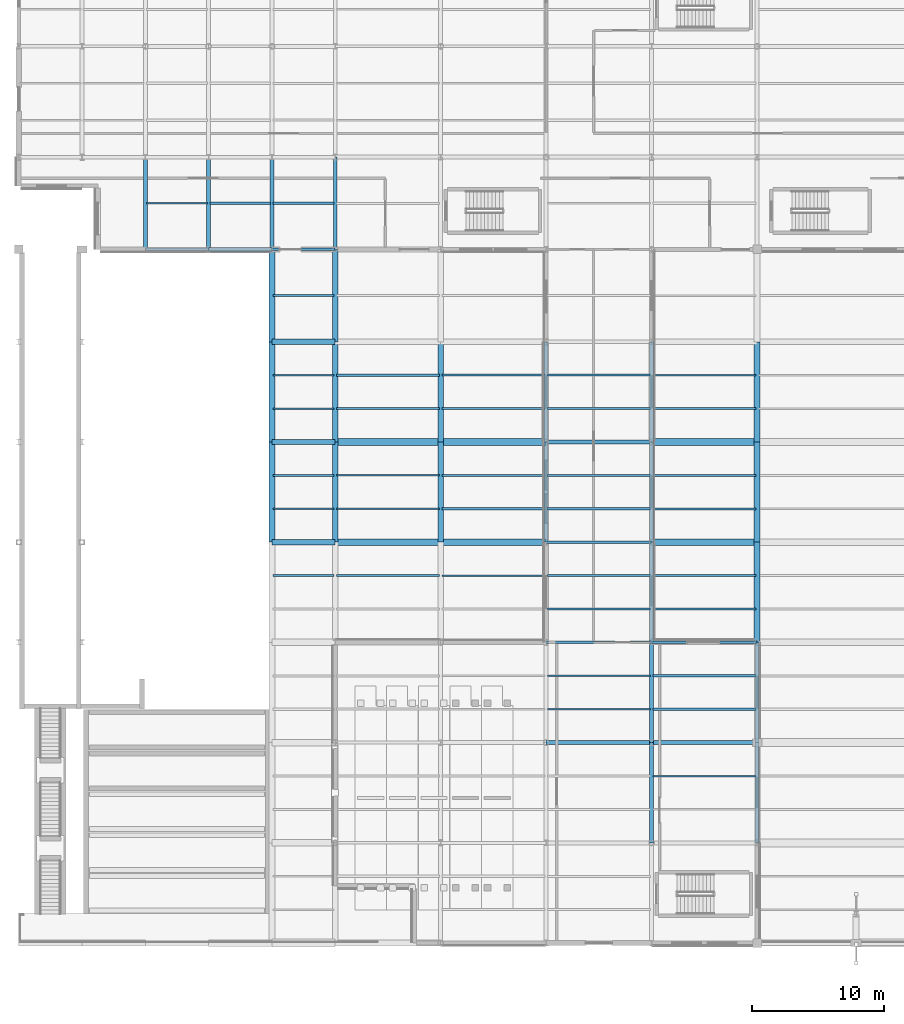
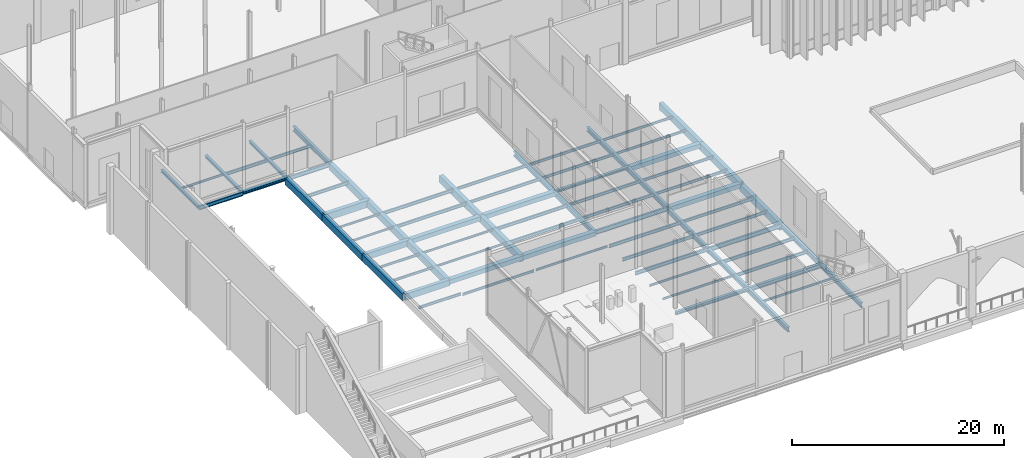
# One storey, part 28 of 176: 78 beams.
"""IFC4 building model written with IfcOpenShell, lengths in metres."""

from ifc_helpers import new_model, si_unit, direction, frame, origin, origin_2d, place, context, subcontext, project, spatial, rectangle, i_section, extrude, material, material_profile, profile_set, type_object, element, save


model = new_model("IFC4")

# Units and contexts
model_context = context("Model", 3, precision=1e-05, world=origin(), true_north=direction((0.0, 1.0)))
body_context = subcontext(model_context, "Body", "Model", "MODEL_VIEW")
ifc_project = project(units=[si_unit("LENGTHUNIT", "METRE"), si_unit("AREAUNIT", "SQUARE_METRE"), si_unit("VOLUMEUNIT", "CUBIC_METRE"), si_unit("PLANEANGLEUNIT", "RADIAN"), si_unit("MASSUNIT", "GRAM", prefix="KILO")], contexts=[model_context])

# Site, building, storey
site_placement = place(None, origin())
site = spatial("IfcSite", under=ifc_project, at=site_placement, CompositionType="ELEMENT")
building_placement = place(site_placement, origin())
building = spatial("IfcBuilding", under=site, at=building_placement, Name="Vekula Escarpment Museum", CompositionType="ELEMENT")
storey_placement = place(building_placement, origin())
storey = spatial("IfcBuildingStorey", under=building, at=storey_placement, Name="L01", CompositionType="ELEMENT", Elevation=0.0)

# Beams
ifc_material_1 = material(Name="Steel S355", Category="steel")
ifc_material_profile_1 = material_profile(ifc_material_1, i_section(OverallWidth=0.280029296875, OverallDepth=0.280029296875, WebThickness=0.010498046875, FlangeThickness=0.01806640625, FilletRadius=0.02392578125, at=origin_2d()), Name="HEB 280")
ifc_profile_set_1 = profile_set([ifc_material_profile_1], Name="Steel S355")
beam_type_1 = type_object("IfcBeamType", Name="BM-GIRD-HEB280", PredefinedType="BEAM", material=ifc_profile_set_1)
beam_1_placement = place(storey_placement, frame((40.0, 38.0, -0.43994140625), z_axis=(1.0, 0.0, 0.0), x_axis=(0.0, 1.0, 0.0)))
element("IfcBeam", 1, at=beam_1_placement, inside=storey, type_object=beam_type_1, Name="Beam X L01 0103", PredefinedType="BEAM", context=body_context, shape_type="SweptSolid", body=[
    extrude(i_section(OverallWidth=0.280029296875, OverallDepth=0.280029296875, WebThickness=0.010498046875, FlangeThickness=0.01806640625, FilletRadius=0.02392578125, at=origin_2d()), origin(), (0.0, 0.0, 1.0), 8.0),
])
ifc_material_2 = material(Name="Steel S355", Category="steel")
ifc_material_profile_2 = material_profile(ifc_material_2, i_section(OverallWidth=0.300048828125, OverallDepth=0.320068359375, WebThickness=0.011474609375, FlangeThickness=0.0205078125, FilletRadius=0.027099609375, at=origin_2d()), Name="HEB 320")
ifc_profile_set_2 = profile_set([ifc_material_profile_2], Name="Steel S355")
beam_type_2 = type_object("IfcBeamType", Name="BM-GIRD-HEB320", PredefinedType="BEAM", material=ifc_profile_set_2)
beam_2_placement = place(storey_placement, frame((14.39990234375, 52.60009765625, -0.4599609375), z_axis=(1.0, 0.0, 0.0), x_axis=(0.0, 1.0, 0.0)))
element("IfcBeam", 2, at=beam_2_placement, inside=storey, type_object=beam_type_2, Name="Beam X L01 0139", PredefinedType="BEAM", context=body_context, shape_type="SweptSolid", body=[
    extrude(i_section(OverallWidth=0.300048828125, OverallDepth=0.320068359375, WebThickness=0.011474609375, FlangeThickness=0.0205078125, FilletRadius=0.027099609375, at=origin_2d()), origin(), (0.0, 0.0, 1.0), 4.800048828125),
])
ifc_material_3 = material(Name="Steel S355", Category="steel")
ifc_material_profile_3 = material_profile(ifc_material_3, i_section(OverallWidth=0.300048828125, OverallDepth=0.360107421875, WebThickness=0.012451171875, FlangeThickness=0.0224609375, FilletRadius=0.027099609375, at=origin_2d()), Name="HEB 360")
ifc_profile_set_3 = profile_set([ifc_material_profile_3], Name="Steel S355")
beam_type_3 = type_object("IfcBeamType", Name="BM-GIRD-HEB360", PredefinedType="BEAM", material=ifc_profile_set_3)
beam_3_placement = place(storey_placement, frame((40.0, 15.199951171875, -0.6298828125), z_axis=(1.0, 0.0, 0.0), x_axis=(0.0, 1.0, 0.0)))
element("IfcBeam", 3, at=beam_3_placement, inside=storey, type_object=beam_type_3, Name="Beam X L01 0052", PredefinedType="BEAM", context=body_context, shape_type="SweptSolid", body=[
    extrude(i_section(OverallWidth=0.300048828125, OverallDepth=0.360107421875, WebThickness=0.012451171875, FlangeThickness=0.0224609375, FilletRadius=0.027099609375, at=origin_2d()), origin(), (0.0, 0.0, 1.0), 8.0),
])
ifc_material_4 = material(Name="Steel S355", Category="steel")
ifc_material_profile_4 = material_profile(ifc_material_4, i_section(OverallWidth=0.300048828125, OverallDepth=0.449951171875, WebThickness=0.013916015625, FlangeThickness=0.02587890625, FilletRadius=0.027099609375, at=origin_2d()), Name="HEB 450")
ifc_profile_set_4 = profile_set([ifc_material_profile_4], Name="Steel S355")
beam_type_4 = type_object("IfcBeamType", Name="BM-GIRD-HEB450", PredefinedType="BEAM", material=ifc_profile_set_4)
beam_4_placement = place(storey_placement, frame((48.0, 15.199951171875, -0.675048828125), z_axis=(1.0, 0.0, 0.0), x_axis=(0.0, 1.0, 0.0)))
element("IfcBeam", 4, at=beam_4_placement, inside=storey, type_object=beam_type_4, Name="Beam X L01 0053", PredefinedType="BEAM", context=body_context, shape_type="SweptSolid", body=[
    extrude(i_section(OverallWidth=0.300048828125, OverallDepth=0.449951171875, WebThickness=0.013916015625, FlangeThickness=0.02587890625, FilletRadius=0.027099609375, at=origin_2d()), origin(), (0.0, 0.0, 1.0), 8.0),
])
ifc_material_5 = material(Name="Steel S355", Category="steel")
ifc_material_profile_5 = material_profile(ifc_material_5, i_section(OverallWidth=0.300048828125, OverallDepth=0.550048828125, WebThickness=0.014892578125, FlangeThickness=0.029052734375, FilletRadius=0.027099609375, at=origin_2d()), Name="HEB 550")
ifc_profile_set_5 = profile_set([ifc_material_profile_5], Name="Steel S355")
beam_type_5 = type_object("IfcBeamType", Name="BM-GIRD-HEB550", PredefinedType="BEAM", material=ifc_profile_set_5)
beam_5_placement = place(storey_placement, frame((24.0, 52.60009765625, -0.574951171875), z_axis=(0.0, 1.0, 0.0), x_axis=(-1.0, 0.0, 0.0)))
element("IfcBeam", 5, at=beam_5_placement, inside=storey, type_object=beam_type_5, Name="Beam Y L01 0450", PredefinedType="BEAM", context=body_context, shape_type="SweptSolid", body=[
    extrude(i_section(OverallWidth=0.300048828125, OverallDepth=0.550048828125, WebThickness=0.014892578125, FlangeThickness=0.029052734375, FilletRadius=0.027099609375, at=origin_2d()), origin(), (0.0, 0.0, 1.0), 7.0),
])
for number, where, z_axis, x_axis, name in (
    (6, (40.0, 30.39990234375, -0.574951171875), (0.0, 1.0, 0.0), (-1.0, 0.0, 0.0), "Beam Y L01 0483"),
    (7, (40.0, 38.0, -0.574951171875), (0.0, 1.0, 0.0), (-1.0, 0.0, 0.0), "Beam Y L01 0484"),
):
    element("IfcBeam", number, at=place(storey_placement, frame(where, z_axis=z_axis, x_axis=x_axis)), inside=storey, type_object=beam_type_5, Name=name, PredefinedType="BEAM", context=body_context, shape_type="SweptSolid", body=[
        extrude(i_section(OverallWidth=0.300048828125, OverallDepth=0.550048828125, WebThickness=0.014892578125, FlangeThickness=0.029052734375, FilletRadius=0.027099609375, at=origin_2d()), origin(), (0.0, 0.0, 1.0), 7.60009765625),
    ])
beam_6_placement = place(storey_placement, frame((48.0, 7.60009765625, -0.72509765625), z_axis=(0.0, 1.0, 0.0), x_axis=(-1.0, 0.0, 0.0)))
element("IfcBeam", 8, at=beam_6_placement, inside=storey, type_object=beam_type_5, Name="Beam Y L01 0498", PredefinedType="BEAM", context=body_context, shape_type="SweptSolid", body=[
    extrude(i_section(OverallWidth=0.300048828125, OverallDepth=0.550048828125, WebThickness=0.014892578125, FlangeThickness=0.029052734375, FilletRadius=0.027099609375, at=origin_2d()), origin(), (0.0, 0.0, 1.0), 7.599853515625),
])
beam_7_placement = place(storey_placement, frame((48.0, 15.199951171875, -0.72509765625), z_axis=(0.0, 1.0, 0.0), x_axis=(-1.0, 0.0, 0.0)))
element("IfcBeam", 9, at=beam_7_placement, inside=storey, type_object=beam_type_5, Name="Beam Y L01 0499", PredefinedType="BEAM", context=body_context, shape_type="SweptSolid", body=[
    extrude(i_section(OverallWidth=0.300048828125, OverallDepth=0.550048828125, WebThickness=0.014892578125, FlangeThickness=0.029052734375, FilletRadius=0.027099609375, at=origin_2d()), origin(), (0.0, 0.0, 1.0), 7.60009765625),
])
beam_8_placement = place(storey_placement, frame((48.0, 22.800048828125, -0.72509765625), z_axis=(0.0, 1.0, 0.0), x_axis=(-1.0, 0.0, 0.0)))
element("IfcBeam", 10, at=beam_8_placement, inside=storey, type_object=beam_type_5, Name="Beam Y L01 0500", PredefinedType="BEAM", context=body_context, shape_type="SweptSolid", body=[
    extrude(i_section(OverallWidth=0.300048828125, OverallDepth=0.550048828125, WebThickness=0.014892578125, FlangeThickness=0.029052734375, FilletRadius=0.027099609375, at=origin_2d()), origin(), (0.0, 0.0, 1.0), 7.599853515625),
])
for number, where, z_axis, x_axis, name in (
    (11, (48.0, 30.39990234375, -0.574951171875), (0.0, 1.0, 0.0), (-1.0, 0.0, 0.0), "Beam Y L01 0501"),
    (12, (48.0, 38.0, -0.574951171875), (0.0, 1.0, 0.0), (-1.0, 0.0, 0.0), "Beam Y L01 0502"),
):
    element("IfcBeam", number, at=place(storey_placement, frame(where, z_axis=z_axis, x_axis=x_axis)), inside=storey, type_object=beam_type_5, Name=name, PredefinedType="BEAM", context=body_context, shape_type="SweptSolid", body=[
        extrude(i_section(OverallWidth=0.300048828125, OverallDepth=0.550048828125, WebThickness=0.014892578125, FlangeThickness=0.029052734375, FilletRadius=0.027099609375, at=origin_2d()), origin(), (0.0, 0.0, 1.0), 7.60009765625),
    ])
beam_9_placement = place(storey_placement, frame((56.0, 7.60009765625, -0.72509765625), z_axis=(0.0, 1.0, 0.0), x_axis=(-1.0, 0.0, 0.0)))
element("IfcBeam", 13, at=beam_9_placement, inside=storey, type_object=beam_type_5, Name="Beam Y L01 0516", PredefinedType="BEAM", context=body_context, shape_type="SweptSolid", body=[
    extrude(i_section(OverallWidth=0.300048828125, OverallDepth=0.550048828125, WebThickness=0.014892578125, FlangeThickness=0.029052734375, FilletRadius=0.027099609375, at=origin_2d()), origin(), (0.0, 0.0, 1.0), 7.599853515625),
])
beam_10_placement = place(storey_placement, frame((56.0, 15.199951171875, -0.72509765625), z_axis=(0.0, 1.0, 0.0), x_axis=(-1.0, 0.0, 0.0)))
element("IfcBeam", 14, at=beam_10_placement, inside=storey, type_object=beam_type_5, Name="Beam Y L01 0517", PredefinedType="BEAM", context=body_context, shape_type="SweptSolid", body=[
    extrude(i_section(OverallWidth=0.300048828125, OverallDepth=0.550048828125, WebThickness=0.014892578125, FlangeThickness=0.029052734375, FilletRadius=0.027099609375, at=origin_2d()), origin(), (0.0, 0.0, 1.0), 7.60009765625),
])
ifc_material_6 = material(Name="Steel S355", Category="steel")
ifc_material_profile_6 = material_profile(ifc_material_6, i_section(OverallWidth=0.179931640625, OverallDepth=0.39990234375, WebThickness=0.008544921875, FlangeThickness=0.013427734375, FilletRadius=0.02099609375, at=origin_2d()), Name="IPE 400")
ifc_profile_set_6 = profile_set([ifc_material_profile_6], Name="Steel S355")
beam_type_6 = type_object("IfcBeamType", Name="BM-GIRD-IPE400", PredefinedType="BEAM", material=ifc_profile_set_6)
beam_11_placement = place(storey_placement, frame((40.0, 22.800048828125, -0.64990234375), z_axis=(1.0, 0.0, 0.0), x_axis=(0.0, 1.0, 0.0)))
element("IfcBeam", 15, at=beam_11_placement, inside=storey, type_object=beam_type_6, Name="Beam X L01 0071", PredefinedType="BEAM", context=body_context, shape_type="SweptSolid", body=[
    extrude(i_section(OverallWidth=0.179931640625, OverallDepth=0.39990234375, WebThickness=0.008544921875, FlangeThickness=0.013427734375, FilletRadius=0.02099609375, at=origin_2d()), origin(), (0.0, 0.0, 1.0), 8.0),
])
ifc_material_7 = material(Name="Steel S355", Category="steel")
ifc_material_profile_7 = material_profile(ifc_material_7, i_section(OverallWidth=0.18994140625, OverallDepth=0.449951171875, WebThickness=0.009521484375, FlangeThickness=0.0146484375, FilletRadius=0.02099609375, at=origin_2d()), Name="IPE 450")
ifc_profile_set_7 = profile_set([ifc_material_profile_7], Name="Steel S355")
beam_type_7 = type_object("IfcBeamType", Name="BM-GIRD-IPE450", PredefinedType="BEAM", material=ifc_profile_set_7)
beam_12_placement = place(storey_placement, frame((9.60009765625, 52.60009765625, -0.52490234375), z_axis=(1.0, 0.0, 0.0), x_axis=(0.0, 1.0, 0.0)))
element("IfcBeam", 16, at=beam_12_placement, inside=storey, type_object=beam_type_7, Name="Beam X L01 0138", PredefinedType="BEAM", context=body_context, shape_type="SweptSolid", body=[
    extrude(i_section(OverallWidth=0.18994140625, OverallDepth=0.449951171875, WebThickness=0.009521484375, FlangeThickness=0.0146484375, FilletRadius=0.02099609375, at=origin_2d()), origin(), (0.0, 0.0, 1.0), 4.7998046875),
])
beam_13_placement = place(storey_placement, frame((19.199951171875, 52.60009765625, -0.52490234375), z_axis=(1.0, 0.0, 0.0), x_axis=(0.0, 1.0, 0.0)))
element("IfcBeam", 17, at=beam_13_placement, inside=storey, type_object=beam_type_7, Name="Beam X L01 0140", PredefinedType="BEAM", context=body_context, shape_type="SweptSolid", body=[
    extrude(i_section(OverallWidth=0.18994140625, OverallDepth=0.449951171875, WebThickness=0.009521484375, FlangeThickness=0.0146484375, FilletRadius=0.02099609375, at=origin_2d()), origin(), (0.0, 0.0, 1.0), 4.800048828125),
])
ifc_material_8 = material(Name="Steel S355", Category="steel")
ifc_material_profile_8 = material_profile(ifc_material_8, i_section(OverallWidth=0.199951171875, OverallDepth=0.5, WebThickness=0.01025390625, FlangeThickness=0.01611328125, FilletRadius=0.02099609375, at=origin_2d()), Name="IPE 500")
ifc_profile_set_8 = profile_set([ifc_material_profile_8], Name="Steel S355")
beam_type_8 = type_object("IfcBeamType", Name="BM-GIRD-IPE500", PredefinedType="BEAM", material=ifc_profile_set_8)
for number, where, z_axis, x_axis, name in (
    (18, (48.0, 22.800048828125, -0.699951171875), (1.0, 0.0, 0.0), (0.0, 1.0, 0.0), "Beam X L01 0072"),
    (19, (40.0, 30.39990234375, -0.550048828125), (1.0, 0.0, 0.0), (0.0, 1.0, 0.0), "Beam X L01 0087"),
):
    element("IfcBeam", number, at=place(storey_placement, frame(where, z_axis=z_axis, x_axis=x_axis)), inside=storey, type_object=beam_type_8, Name=name, PredefinedType="BEAM", context=body_context, shape_type="SweptSolid", body=[
        extrude(i_section(OverallWidth=0.199951171875, OverallDepth=0.5, WebThickness=0.01025390625, FlangeThickness=0.01611328125, FilletRadius=0.02099609375, at=origin_2d()), origin(), (0.0, 0.0, 1.0), 8.0),
    ])
ifc_material_9 = material(Name="Steel S355", Category="steel")
ifc_material_profile_9 = material_profile(ifc_material_9, i_section(OverallWidth=0.1201171875, OverallDepth=0.239990234375, WebThickness=0.006103515625, FlangeThickness=0.009765625, FilletRadius=0.014892578125, at=origin_2d()), Name="IPE 240")
ifc_profile_set_9 = profile_set([ifc_material_profile_9], Name="Steel S355")
beam_type_9 = type_object("IfcBeamType", Name="BM-JST-IPE240", PredefinedType="JOIST", material=ifc_profile_set_9)
beam_14_placement = place(storey_placement, frame((9.68994140625, 56.10009765625, -0.419921875), z_axis=(1.0, 0.0, 0.0), x_axis=(0.0, 1.0, 0.0)))
element("IfcBeam", 20, at=beam_14_placement, inside=storey, type_object=beam_type_9, Name="Secondary Joist L01 0023", PredefinedType="JOIST", context=body_context, shape_type="SweptSolid", body=[
    extrude(i_section(OverallWidth=0.1201171875, OverallDepth=0.239990234375, WebThickness=0.006103515625, FlangeThickness=0.009765625, FilletRadius=0.014892578125, at=origin_2d()), origin(), (0.0, 0.0, 1.0), 4.6201171875),
])
for number, where, z_axis, x_axis, name in (
    (21, (19.2900390625, 40.533203125, -0.419921875), (1.0, 0.0, 0.0), (0.0, 1.0, 0.0), "Secondary Joist L01 0061"),
    (22, (19.2900390625, 43.066650390625, -0.419921875), (1.0, 0.0, 0.0), (0.0, 1.0, 0.0), "Secondary Joist L01 0062"),
):
    element("IfcBeam", number, at=place(storey_placement, frame(where, z_axis=z_axis, x_axis=x_axis)), inside=storey, type_object=beam_type_9, Name=name, PredefinedType="JOIST", context=body_context, shape_type="SweptSolid", body=[
        extrude(i_section(OverallWidth=0.1201171875, OverallDepth=0.239990234375, WebThickness=0.006103515625, FlangeThickness=0.009765625, FilletRadius=0.014892578125, at=origin_2d()), origin(), (0.0, 0.0, 1.0), 4.619873046875),
    ])
for number, where, z_axis, x_axis, name in (
    (23, (24.090087890625, 32.933349609375, -0.419921875), (1.0, 0.0, 0.0), (0.0, 1.0, 0.0), "Secondary Joist L01 0090"),
    (24, (24.090087890625, 35.466796875, -0.419921875), (1.0, 0.0, 0.0), (0.0, 1.0, 0.0), "Secondary Joist L01 0091"),
    (25, (32.090087890625, 27.86669921875, -0.570068359375), (1.0, 0.0, 0.0), (0.0, 1.0, 0.0), "Secondary Joist L01 0121"),
    (26, (40.090087890625, 17.7333984375, -0.570068359375), (1.0, 0.0, 0.0), (0.0, 1.0, 0.0), "Secondary Joist L01 0147"),
    (27, (40.090087890625, 20.2666015625, -0.570068359375), (1.0, 0.0, 0.0), (0.0, 1.0, 0.0), "Secondary Joist L01 0148"),
    (28, (48.090087890625, 12.666748046875, -0.570068359375), (1.0, 0.0, 0.0), (0.0, 1.0, 0.0), "Secondary Joist L01 0176"),
):
    element("IfcBeam", number, at=place(storey_placement, frame(where, z_axis=z_axis, x_axis=x_axis)), inside=storey, type_object=beam_type_9, Name=name, PredefinedType="JOIST", context=body_context, shape_type="SweptSolid", body=[
        extrude(i_section(OverallWidth=0.1201171875, OverallDepth=0.239990234375, WebThickness=0.006103515625, FlangeThickness=0.009765625, FilletRadius=0.014892578125, at=origin_2d()), origin(), (0.0, 0.0, 1.0), 7.81982421875),
    ])
ifc_material_10 = material(Name="Steel S355", Category="steel")
ifc_material_profile_10 = material_profile(ifc_material_10, i_section(OverallWidth=0.135009765625, OverallDepth=0.27001953125, WebThickness=0.006591796875, FlangeThickness=0.01025390625, FilletRadius=0.014892578125, at=origin_2d()), Name="IPE 270")
ifc_profile_set_10 = profile_set([ifc_material_profile_10], Name="Steel S355")
beam_type_10 = type_object("IfcBeamType", Name="BM-JST-IPE270", PredefinedType="JOIST", material=ifc_profile_set_10)
for number, where, z_axis, x_axis, name in (
    (29, (19.2900390625, 32.933349609375, -0.43505859375), (1.0, 0.0, 0.0), (0.0, 1.0, 0.0), "Secondary Joist L01 0059"),
    (30, (19.2900390625, 35.466796875, -0.43505859375), (1.0, 0.0, 0.0), (0.0, 1.0, 0.0), "Secondary Joist L01 0060"),
):
    element("IfcBeam", number, at=place(storey_placement, frame(where, z_axis=z_axis, x_axis=x_axis)), inside=storey, type_object=beam_type_10, Name=name, PredefinedType="JOIST", context=body_context, shape_type="SweptSolid", body=[
        extrude(i_section(OverallWidth=0.135009765625, OverallDepth=0.27001953125, WebThickness=0.006591796875, FlangeThickness=0.01025390625, FilletRadius=0.014892578125, at=origin_2d()), origin(), (0.0, 0.0, 1.0), 4.619873046875),
    ])
for number, where, z_axis, x_axis, name in (
    (31, (24.090087890625, 27.86669921875, -0.5849609375), (1.0, 0.0, 0.0), (0.0, 1.0, 0.0), "Secondary Joist L01 0089"),
    (32, (48.090087890625, 40.533203125, -0.43505859375), (1.0, 0.0, 0.0), (0.0, 1.0, 0.0), "Secondary Joist L01 0183"),
    (33, (48.090087890625, 43.066650390625, -0.43505859375), (1.0, 0.0, 0.0), (0.0, 1.0, 0.0), "Secondary Joist L01 0184"),
):
    element("IfcBeam", number, at=place(storey_placement, frame(where, z_axis=z_axis, x_axis=x_axis)), inside=storey, type_object=beam_type_10, Name=name, PredefinedType="JOIST", context=body_context, shape_type="SweptSolid", body=[
        extrude(i_section(OverallWidth=0.135009765625, OverallDepth=0.27001953125, WebThickness=0.006591796875, FlangeThickness=0.01025390625, FilletRadius=0.014892578125, at=origin_2d()), origin(), (0.0, 0.0, 1.0), 7.81982421875),
    ])
ifc_material_11 = material(Name="Steel S355", Category="steel")
ifc_material_profile_11 = material_profile(ifc_material_11, i_section(OverallWidth=0.14990234375, OverallDepth=0.300048828125, WebThickness=0.007080078125, FlangeThickness=0.0107421875, FilletRadius=0.014892578125, at=origin_2d()), Name="IPE 300")
ifc_profile_set_11 = profile_set([ifc_material_profile_11], Name="Steel S355")
beam_type_11 = type_object("IfcBeamType", Name="BM-JST-IPE300", PredefinedType="JOIST", material=ifc_profile_set_11)
beam_15_placement = place(storey_placement, frame((19.2900390625, 27.86669921875, -0.449951171875), z_axis=(1.0, 0.0, 0.0), x_axis=(0.0, 1.0, 0.0)))
element("IfcBeam", 34, at=beam_15_placement, inside=storey, type_object=beam_type_11, Name="Secondary Joist L01 0058", PredefinedType="JOIST", context=body_context, shape_type="SweptSolid", body=[
    extrude(i_section(OverallWidth=0.14990234375, OverallDepth=0.300048828125, WebThickness=0.007080078125, FlangeThickness=0.0107421875, FilletRadius=0.014892578125, at=origin_2d()), origin(), (0.0, 0.0, 1.0), 4.619873046875),
])
for number, where, z_axis, x_axis, name in (
    (35, (40.090087890625, 40.533203125, -0.449951171875), (1.0, 0.0, 0.0), (0.0, 1.0, 0.0), "Secondary Joist L01 0153"),
    (36, (40.090087890625, 43.066650390625, -0.449951171875), (1.0, 0.0, 0.0), (0.0, 1.0, 0.0), "Secondary Joist L01 0154"),
    (37, (48.090087890625, 32.933349609375, -0.449951171875), (1.0, 0.0, 0.0), (0.0, 1.0, 0.0), "Secondary Joist L01 0181"),
    (38, (48.090087890625, 35.466796875, -0.449951171875), (1.0, 0.0, 0.0), (0.0, 1.0, 0.0), "Secondary Joist L01 0182"),
):
    element("IfcBeam", number, at=place(storey_placement, frame(where, z_axis=z_axis, x_axis=x_axis)), inside=storey, type_object=beam_type_11, Name=name, PredefinedType="JOIST", context=body_context, shape_type="SweptSolid", body=[
        extrude(i_section(OverallWidth=0.14990234375, OverallDepth=0.300048828125, WebThickness=0.007080078125, FlangeThickness=0.0107421875, FilletRadius=0.014892578125, at=origin_2d()), origin(), (0.0, 0.0, 1.0), 7.81982421875),
    ])
ifc_material_12 = material(Name="Steel S355", Category="steel")
ifc_material_profile_12 = material_profile(ifc_material_12, i_section(OverallWidth=0.159912109375, OverallDepth=0.330078125, WebThickness=0.007568359375, FlangeThickness=0.011474609375, FilletRadius=0.01806640625, at=origin_2d()), Name="IPE 330")
ifc_profile_set_12 = profile_set([ifc_material_profile_12], Name="Steel S355")
beam_type_12 = type_object("IfcBeamType", Name="BM-JST-IPE330", PredefinedType="JOIST", material=ifc_profile_set_12)
beam_16_placement = place(storey_placement, frame((19.2900390625, 56.10009765625, -0.465087890625), z_axis=(1.0, 0.0, 0.0), x_axis=(0.0, 1.0, 0.0)))
element("IfcBeam", 39, at=beam_16_placement, inside=storey, type_object=beam_type_12, Name="Secondary Joist L01 0064", PredefinedType="JOIST", context=body_context, shape_type="SweptSolid", body=[
    extrude(i_section(OverallWidth=0.159912109375, OverallDepth=0.330078125, WebThickness=0.007568359375, FlangeThickness=0.011474609375, FilletRadius=0.01806640625, at=origin_2d()), origin(), (0.0, 0.0, 1.0), 4.619873046875),
])
for number, where, z_axis, x_axis, name in (
    (40, (32.090087890625, 40.533203125, -0.465087890625), (1.0, 0.0, 0.0), (0.0, 1.0, 0.0), "Secondary Joist L01 0124"),
    (41, (32.090087890625, 43.066650390625, -0.465087890625), (1.0, 0.0, 0.0), (0.0, 1.0, 0.0), "Secondary Joist L01 0125"),
    (42, (40.090087890625, 32.933349609375, -0.465087890625), (1.0, 0.0, 0.0), (0.0, 1.0, 0.0), "Secondary Joist L01 0151"),
    (43, (40.090087890625, 35.466796875, -0.465087890625), (1.0, 0.0, 0.0), (0.0, 1.0, 0.0), "Secondary Joist L01 0152"),
    (44, (48.090087890625, 25.333251953125, -0.614990234375), (1.0, 0.0, 0.0), (0.0, 1.0, 0.0), "Secondary Joist L01 0179"),
    (45, (48.090087890625, 27.86669921875, -0.614990234375), (1.0, 0.0, 0.0), (0.0, 1.0, 0.0), "Secondary Joist L01 0180"),
):
    element("IfcBeam", number, at=place(storey_placement, frame(where, z_axis=z_axis, x_axis=x_axis)), inside=storey, type_object=beam_type_12, Name=name, PredefinedType="JOIST", context=body_context, shape_type="SweptSolid", body=[
        extrude(i_section(OverallWidth=0.159912109375, OverallDepth=0.330078125, WebThickness=0.007568359375, FlangeThickness=0.011474609375, FilletRadius=0.01806640625, at=origin_2d()), origin(), (0.0, 0.0, 1.0), 7.81982421875),
    ])
ifc_material_13 = material(Name="Steel S355", Category="steel")
ifc_material_profile_13 = material_profile(ifc_material_13, i_section(OverallWidth=0.169921875, OverallDepth=0.360107421875, WebThickness=0.008056640625, FlangeThickness=0.0126953125, FilletRadius=0.01806640625, at=origin_2d()), Name="IPE 360")
ifc_profile_set_13 = profile_set([ifc_material_profile_13], Name="Steel S355")
beam_type_13 = type_object("IfcBeamType", Name="BM-JST-IPE360", PredefinedType="JOIST", material=ifc_profile_set_13)
beam_17_placement = place(storey_placement, frame((14.489990234375, 56.10009765625, -0.47998046875), z_axis=(1.0, 0.0, 0.0), x_axis=(0.0, 1.0, 0.0)))
element("IfcBeam", 46, at=beam_17_placement, inside=storey, type_object=beam_type_13, Name="Secondary Joist L01 0037", PredefinedType="JOIST", context=body_context, shape_type="SweptSolid", body=[
    extrude(i_section(OverallWidth=0.169921875, OverallDepth=0.360107421875, WebThickness=0.008056640625, FlangeThickness=0.0126953125, FilletRadius=0.01806640625, at=origin_2d()), origin(), (0.0, 0.0, 1.0), 4.6201171875),
])
beam_18_placement = place(storey_placement, frame((19.2900390625, 49.10009765625, -0.47998046875), z_axis=(1.0, 0.0, 0.0), x_axis=(0.0, 1.0, 0.0)))
element("IfcBeam", 47, at=beam_18_placement, inside=storey, type_object=beam_type_13, Name="Secondary Joist L01 0063", PredefinedType="JOIST", context=body_context, shape_type="SweptSolid", body=[
    extrude(i_section(OverallWidth=0.169921875, OverallDepth=0.360107421875, WebThickness=0.008056640625, FlangeThickness=0.0126953125, FilletRadius=0.01806640625, at=origin_2d()), origin(), (0.0, 0.0, 1.0), 4.619873046875),
])
for number, where, z_axis, x_axis, name in (
    (48, (24.090087890625, 40.533203125, -0.47998046875), (1.0, 0.0, 0.0), (0.0, 1.0, 0.0), "Secondary Joist L01 0092"),
    (49, (24.090087890625, 43.066650390625, -0.47998046875), (1.0, 0.0, 0.0), (0.0, 1.0, 0.0), "Secondary Joist L01 0093"),
    (50, (32.090087890625, 32.933349609375, -0.47998046875), (1.0, 0.0, 0.0), (0.0, 1.0, 0.0), "Secondary Joist L01 0122"),
    (51, (32.090087890625, 35.466796875, -0.47998046875), (1.0, 0.0, 0.0), (0.0, 1.0, 0.0), "Secondary Joist L01 0123"),
    (52, (40.090087890625, 25.333251953125, -0.6298828125), (1.0, 0.0, 0.0), (0.0, 1.0, 0.0), "Secondary Joist L01 0149"),
    (53, (40.090087890625, 27.86669921875, -0.6298828125), (1.0, 0.0, 0.0), (0.0, 1.0, 0.0), "Secondary Joist L01 0150"),
    (54, (48.090087890625, 17.7333984375, -0.6298828125), (1.0, 0.0, 0.0), (0.0, 1.0, 0.0), "Secondary Joist L01 0177"),
    (55, (48.090087890625, 20.2666015625, -0.6298828125), (1.0, 0.0, 0.0), (0.0, 1.0, 0.0), "Secondary Joist L01 0178"),
):
    element("IfcBeam", number, at=place(storey_placement, frame(where, z_axis=z_axis, x_axis=x_axis)), inside=storey, type_object=beam_type_13, Name=name, PredefinedType="JOIST", context=body_context, shape_type="SweptSolid", body=[
        extrude(i_section(OverallWidth=0.169921875, OverallDepth=0.360107421875, WebThickness=0.008056640625, FlangeThickness=0.0126953125, FilletRadius=0.01806640625, at=origin_2d()), origin(), (0.0, 0.0, 1.0), 7.81982421875),
    ])
ifc_material_14 = material(Name="Concrete C35/45", Category="concrete")
ifc_material_profile_14 = material_profile(ifc_material_14, rectangle(XDim=0.449951171875, YDim=0.800048828125, at=origin_2d()), Name="RC 450x800")
ifc_profile_set_14 = profile_set([ifc_material_profile_14], Name="Concrete C35/45")
beam_type_14 = type_object("IfcBeamType", Name="BM-PLINTH-RC", PredefinedType="BEAM", material=ifc_profile_set_14)
beam_19_placement = place(storey_placement, frame((19.199951171875, 45.60009765625, -0.699951171875), z_axis=(1.0, 0.0, 0.0), x_axis=(0.0, 1.0, 0.0)))
element("IfcBeam", 56, at=beam_19_placement, inside=storey, type_object=beam_type_14, Name="Beam X L01 0119", PredefinedType="BEAM", context=body_context, shape_type="SweptSolid", body=[
    extrude(rectangle(XDim=0.449951171875, YDim=0.800048828125, at=origin_2d()), origin(), (0.0, 0.0, 1.0), 4.800048828125),
])
for number, where, z_axis, x_axis, name in (
    (57, (19.199951171875, 30.39990234375, -0.699951171875), (0.0, 1.0, 0.0), (-1.0, 0.0, 0.0), "Beam Y L01 0429"),
    (58, (19.199951171875, 38.0, -0.699951171875), (0.0, 1.0, 0.0), (-1.0, 0.0, 0.0), "Beam Y L01 0430"),
):
    element("IfcBeam", number, at=place(storey_placement, frame(where, z_axis=z_axis, x_axis=x_axis)), inside=storey, type_object=beam_type_14, Name=name, PredefinedType="BEAM", context=body_context, shape_type="SweptSolid", body=[
        extrude(rectangle(XDim=0.449951171875, YDim=0.800048828125, at=origin_2d()), origin(), (0.0, 0.0, 1.0), 7.60009765625),
    ])
beam_20_placement = place(storey_placement, frame((19.199951171875, 45.60009765625, -0.699951171875), z_axis=(0.0, 1.0, 0.0), x_axis=(-1.0, 0.0, 0.0)))
element("IfcBeam", 59, at=beam_20_placement, inside=storey, type_object=beam_type_14, Name="Beam Y L01 0431", PredefinedType="BEAM", context=body_context, shape_type="SweptSolid", body=[
    extrude(rectangle(XDim=0.449951171875, YDim=0.800048828125, at=origin_2d()), origin(), (0.0, 0.0, 1.0), 7.0),
])
for number, where, z_axis, x_axis, name in (
    (60, (24.0, 30.39990234375, -0.699951171875), (0.0, 1.0, 0.0), (-1.0, 0.0, 0.0), "Beam Y L01 0447"),
    (61, (24.0, 38.0, -0.699951171875), (0.0, 1.0, 0.0), (-1.0, 0.0, 0.0), "Beam Y L01 0448"),
):
    element("IfcBeam", number, at=place(storey_placement, frame(where, z_axis=z_axis, x_axis=x_axis)), inside=storey, type_object=beam_type_14, Name=name, PredefinedType="BEAM", context=body_context, shape_type="SweptSolid", body=[
        extrude(rectangle(XDim=0.449951171875, YDim=0.800048828125, at=origin_2d()), origin(), (0.0, 0.0, 1.0), 7.60009765625),
    ])
beam_21_placement = place(storey_placement, frame((24.0, 45.60009765625, -0.699951171875), z_axis=(0.0, 1.0, 0.0), x_axis=(-1.0, 0.0, 0.0)))
element("IfcBeam", 62, at=beam_21_placement, inside=storey, type_object=beam_type_14, Name="Beam Y L01 0449", PredefinedType="BEAM", context=body_context, shape_type="SweptSolid", body=[
    extrude(rectangle(XDim=0.449951171875, YDim=0.800048828125, at=origin_2d()), origin(), (0.0, 0.0, 1.0), 7.0),
])
for number, where, z_axis, x_axis, name in (
    (63, (32.0, 30.39990234375, -0.699951171875), (0.0, 1.0, 0.0), (-1.0, 0.0, 0.0), "Beam Y L01 0465"),
    (64, (32.0, 38.0, -0.699951171875), (0.0, 1.0, 0.0), (-1.0, 0.0, 0.0), "Beam Y L01 0466"),
):
    element("IfcBeam", number, at=place(storey_placement, frame(where, z_axis=z_axis, x_axis=x_axis)), inside=storey, type_object=beam_type_14, Name=name, PredefinedType="BEAM", context=body_context, shape_type="SweptSolid", body=[
        extrude(rectangle(XDim=0.449951171875, YDim=0.800048828125, at=origin_2d()), origin(), (0.0, 0.0, 1.0), 7.60009765625),
    ])
beam_22_placement = place(storey_placement, frame((56.0, 22.800048828125, -0.85009765625), z_axis=(0.0, 1.0, 0.0), x_axis=(-1.0, 0.0, 0.0)))
element("IfcBeam", 65, at=beam_22_placement, inside=storey, type_object=beam_type_14, Name="Beam Y L01 0518", PredefinedType="BEAM", context=body_context, shape_type="SweptSolid", body=[
    extrude(rectangle(XDim=0.449951171875, YDim=0.800048828125, at=origin_2d()), origin(), (0.0, 0.0, 1.0), 7.599853515625),
])
for number, where, z_axis, x_axis, name in (
    (66, (56.0, 30.39990234375, -0.699951171875), (0.0, 1.0, 0.0), (-1.0, 0.0, 0.0), "Beam Y L01 0519"),
    (67, (56.0, 38.0, -0.699951171875), (0.0, 1.0, 0.0), (-1.0, 0.0, 0.0), "Beam Y L01 0520"),
):
    element("IfcBeam", number, at=place(storey_placement, frame(where, z_axis=z_axis, x_axis=x_axis)), inside=storey, type_object=beam_type_14, Name=name, PredefinedType="BEAM", context=body_context, shape_type="SweptSolid", body=[
        extrude(rectangle(XDim=0.449951171875, YDim=0.800048828125, at=origin_2d()), origin(), (0.0, 0.0, 1.0), 7.60009765625),
    ])
ifc_material_15 = material(Name="Concrete C35/45", Category="concrete")
ifc_material_profile_15 = material_profile(ifc_material_15, rectangle(XDim=0.39990234375, YDim=0.699951171875, at=origin_2d()), Name="RC 400x700")
ifc_profile_set_15 = profile_set([ifc_material_profile_15], Name="Concrete C35/45")
beam_type_15 = type_object("IfcBeamType", Name="BM-PLINTH-RC2", PredefinedType="BEAM", material=ifc_profile_set_15)
for number, where, z_axis, x_axis, name in (
    (68, (19.199951171875, 30.39990234375, -0.64990234375), (1.0, 0.0, 0.0), (0.0, 1.0, 0.0), "Beam X L01 0084"),
    (69, (19.199951171875, 38.0, -0.64990234375), (1.0, 0.0, 0.0), (0.0, 1.0, 0.0), "Beam X L01 0100"),
):
    element("IfcBeam", number, at=place(storey_placement, frame(where, z_axis=z_axis, x_axis=x_axis)), inside=storey, type_object=beam_type_15, Name=name, PredefinedType="BEAM", context=body_context, shape_type="SweptSolid", body=[
        extrude(rectangle(XDim=0.39990234375, YDim=0.699951171875, at=origin_2d()), origin(), (0.0, 0.0, 1.0), 4.800048828125),
    ])
ifc_material_16 = material(Name="Concrete C35/45", Category="concrete")
ifc_material_profile_16 = material_profile(ifc_material_16, rectangle(XDim=0.5, YDim=0.5, at=origin_2d()), Name="RC 500x500")
ifc_profile_set_16 = profile_set([ifc_material_profile_16], Name="Concrete C35/45")
beam_type_16 = type_object("IfcBeamType", Name="BM-PLINTH-RC3", PredefinedType="BEAM", material=ifc_profile_set_16)
for number, where, z_axis, x_axis, name in (
    (70, (24.0, 30.39990234375, -0.550048828125), (1.0, 0.0, 0.0), (0.0, 1.0, 0.0), "Beam X L01 0085"),
    (71, (32.0, 30.39990234375, -0.550048828125), (1.0, 0.0, 0.0), (0.0, 1.0, 0.0), "Beam X L01 0086"),
    (72, (48.0, 30.39990234375, -0.550048828125), (1.0, 0.0, 0.0), (0.0, 1.0, 0.0), "Beam X L01 0088"),
    (73, (24.0, 38.0, -0.550048828125), (1.0, 0.0, 0.0), (0.0, 1.0, 0.0), "Beam X L01 0101"),
    (74, (32.0, 38.0, -0.550048828125), (1.0, 0.0, 0.0), (0.0, 1.0, 0.0), "Beam X L01 0102"),
    (75, (48.0, 38.0, -0.550048828125), (1.0, 0.0, 0.0), (0.0, 1.0, 0.0), "Beam X L01 0104"),
):
    element("IfcBeam", number, at=place(storey_placement, frame(where, z_axis=z_axis, x_axis=x_axis)), inside=storey, type_object=beam_type_16, Name=name, PredefinedType="BEAM", context=body_context, shape_type="SweptSolid", body=[
        extrude(rectangle(XDim=0.5, YDim=0.5, at=origin_2d()), origin(), (0.0, 0.0, 1.0), 8.0),
    ])
ifc_material_17 = material(Name="Steel S355", Category="steel")
ifc_material_profile_17 = material_profile(ifc_material_17, i_section(OverallWidth=0.300048828125, OverallDepth=0.2900390625, WebThickness=0.008544921875, FlangeThickness=0.013916015625, FilletRadius=0.027099609375, at=origin_2d()), Name="HEA 300")
ifc_profile_set_17 = profile_set([ifc_material_profile_17], Name="Steel S355")
beam_type_17 = type_object("IfcBeamType", Name="BM-SPAN-HEA300", PredefinedType="SPANDREL", material=ifc_profile_set_17)
for number, where, z_axis, x_axis, name in (
    (76, (9.60009765625, 52.60009765625, -0.445068359375), (0.0, 1.0, 0.0), (-1.0, 0.0, 0.0), "Beam Y L01 0409"),
    (77, (14.39990234375, 52.60009765625, -0.445068359375), (0.0, 1.0, 0.0), (-1.0, 0.0, 0.0), "Beam Y L01 0417"),
    (78, (19.199951171875, 52.60009765625, -0.445068359375), (0.0, 1.0, 0.0), (-1.0, 0.0, 0.0), "Beam Y L01 0432"),
):
    element("IfcBeam", number, at=place(storey_placement, frame(where, z_axis=z_axis, x_axis=x_axis)), inside=storey, type_object=beam_type_17, Name=name, PredefinedType="SPANDREL", context=body_context, shape_type="SweptSolid", body=[
        extrude(i_section(OverallWidth=0.300048828125, OverallDepth=0.2900390625, WebThickness=0.008544921875, FlangeThickness=0.013916015625, FilletRadius=0.027099609375, at=origin_2d()), origin(), (0.0, 0.0, 1.0), 7.0),
    ])

save(model, "model.ifc")
